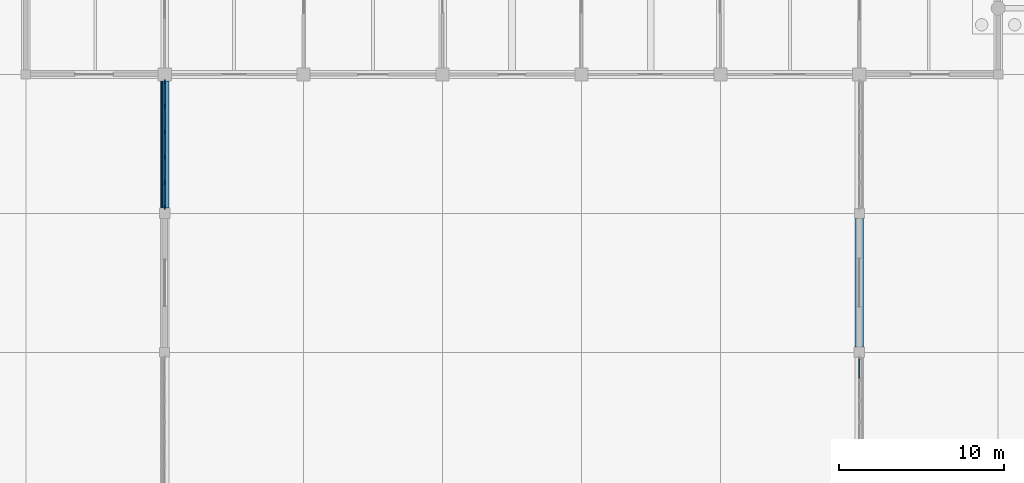
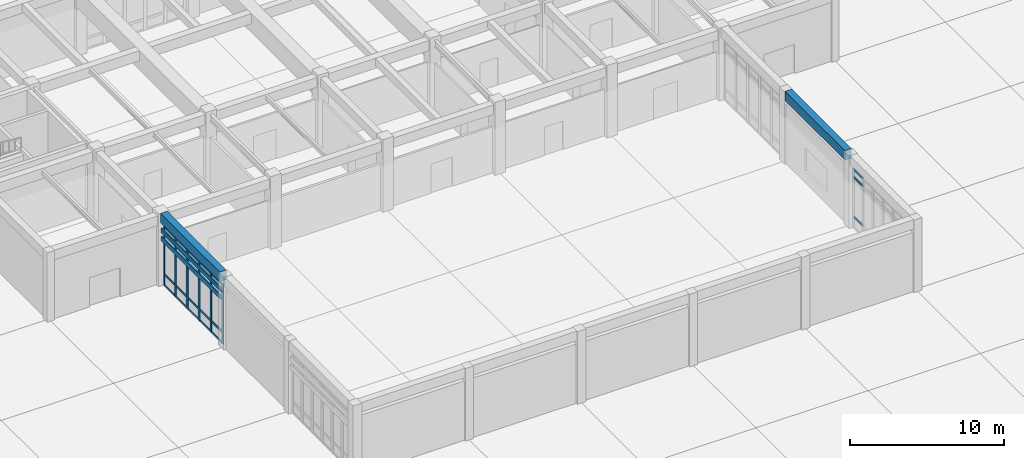
# One storey, part 11 of 91: 31 members, 2 beams, 2 elements without a shape of their own.
"""IFC4 building model written with IfcOpenShell, lengths in metres."""

from ifc_helpers import new_model, si_unit, direction, frame, origin, origin_2d, place, context, subcontext, project, spatial, rectangle, extrude, material, layer, layer_set, material_profile, profile_set, type_object, element, aggregate, save


model = new_model("IFC4")

# Units and contexts
model_context = context("Model", 3, precision=1e-05, world=origin(), true_north=direction((0.0, 1.0)))
body_context = subcontext(model_context, "Body", "Model", "MODEL_VIEW")
ifc_project = project(units=[si_unit("LENGTHUNIT", "METRE"), si_unit("AREAUNIT", "SQUARE_METRE"), si_unit("VOLUMEUNIT", "CUBIC_METRE"), si_unit("PLANEANGLEUNIT", "RADIAN"), si_unit("MASSUNIT", "GRAM", prefix="KILO")], contexts=[model_context])

# Site, building, storey
site_placement = place(None, origin())
site = spatial("IfcSite", under=ifc_project, at=site_placement, CompositionType="ELEMENT")
building_placement = place(site_placement, origin())
building = spatial("IfcBuilding", under=site, at=building_placement, Name="Porcellanite Civic Hall", CompositionType="ELEMENT")
storey_placement = place(building_placement, origin())
storey = spatial("IfcBuildingStorey", under=building, at=storey_placement, Name="L00", CompositionType="ELEMENT", Elevation=0.0)

# Beams
ifc_material_1 = material(Name="Concrete N50 (50 MPa)", Category="concrete")
ifc_material_profile_1 = material_profile(ifc_material_1, rectangle(XDim=0.5, YDim=0.75, at=origin_2d()), Name="RC-500x750")
ifc_profile_set_1 = profile_set([ifc_material_profile_1], Name="Concrete N50 (50 MPa)")
beam_type = type_object("IfcBeamType", Name="BM-RC750", PredefinedType="SPANDREL", material=ifc_profile_set_1)
beam_1_placement = place(storey_placement, frame((67.199951171875, 33.924560546875, 5.385009765625), z_axis=(0.0, 1.0, 0.0), x_axis=(-1.0, 0.0, 0.0)))
element("IfcBeam", 1, at=beam_1_placement, inside=storey, type_object=beam_type, Name="Public Hall waist spandrel W 4", PredefinedType="SPANDREL", context=body_context, shape_type="SweptSolid", body=[
    extrude(rectangle(XDim=0.5, YDim=0.75, at=origin_2d()), origin(), (0.0, 0.0, 1.0), 7.676025390625),
])
beam_2_placement = place(storey_placement, frame((109.199951171875, 25.5244140625, 5.385009765625), z_axis=(0.0, 1.0, 0.0), x_axis=(-1.0, 0.0, 0.0)))
element("IfcBeam", 2, at=beam_2_placement, inside=storey, type_object=beam_type, Name="Public Hall waist spandrel E 3", PredefinedType="SPANDREL", context=body_context, shape_type="SweptSolid", body=[
    extrude(rectangle(XDim=0.5, YDim=0.75, at=origin_2d()), origin(), (0.0, 0.0, 1.0), 7.776123046875),
])

# Curtain wall, members
ifc_material_2 = material(Name="Anodised aluminium and solar laminated glass", Category="aluminium")
ifc_layer = layer(ifc_material_2, 0.179931640625)
ifc_layer_set = layer_set([ifc_layer], Name="Anodised aluminium and solar laminated glass")
curtain_wall_type = type_object("IfcCurtainWallType", Name="CW-SYS01", PredefinedType="NOTDEFINED", material=ifc_layer_set)
curtain_wall_1_placement = place(storey_placement, origin())
curtain_wall_1 = element("IfcCurtainWall", 3, at=curtain_wall_1_placement, inside=storey, type_object=curtain_wall_type, Name="Curtain wall CW-028", PredefinedType="NOTDEFINED")
ifc_material_3 = material(Name="Anodised aluminium 6063-T6", Category="aluminium")
ifc_material_profile_2 = material_profile(ifc_material_3, rectangle(XDim=0.080078125, YDim=0.239990234375, at=origin_2d()), Name="AL-80x240")
ifc_profile_set_2 = profile_set([ifc_material_profile_2], Name="Anodised aluminium 6063-T6")
member_type_1 = type_object("IfcMemberType", Name="CWM-01", PredefinedType="MULLION", material=ifc_profile_set_2)
member_1_placement = place(storey_placement, frame((67.199951171875, 33.966064453125, 0.0), z_axis=(0.0, 0.0, 1.0), x_axis=(-1.0, 0.0, 0.0)))
member_1 = element("IfcMember", 4, at=member_1_placement, type_object=member_type_1, Name="CW-028 mullion 1", PredefinedType="MULLION", context=body_context, shape_type="SweptSolid", body=[
    extrude(rectangle(XDim=0.080078125, YDim=0.239990234375, at=origin_2d()), origin(), (0.0, 0.0, 1.0), 4.699951171875),
])
member_2_placement = place(storey_placement, frame((67.199951171875, 35.460693359375, 0.0), z_axis=(0.0, 0.0, 1.0), x_axis=(-1.0, 0.0, 0.0)))
member_2 = element("IfcMember", 5, at=member_2_placement, type_object=member_type_1, Name="CW-028 mullion 2", PredefinedType="MULLION", context=body_context, shape_type="SweptSolid", body=[
    extrude(rectangle(XDim=0.080078125, YDim=0.239990234375, at=origin_2d()), origin(), (0.0, 0.0, 1.0), 4.699951171875),
])
member_3_placement = place(storey_placement, frame((67.199951171875, 36.9951171875, 0.0), z_axis=(0.0, 0.0, 1.0), x_axis=(-1.0, 0.0, 0.0)))
member_3 = element("IfcMember", 6, at=member_3_placement, type_object=member_type_1, Name="CW-028 mullion 3", PredefinedType="MULLION", context=body_context, shape_type="SweptSolid", body=[
    extrude(rectangle(XDim=0.080078125, YDim=0.239990234375, at=origin_2d()), origin(), (0.0, 0.0, 1.0), 4.699951171875),
])
member_4_placement = place(storey_placement, frame((67.199951171875, 38.52978515625, 0.0), z_axis=(0.0, 0.0, 1.0), x_axis=(-1.0, 0.0, 0.0)))
member_4 = element("IfcMember", 7, at=member_4_placement, type_object=member_type_1, Name="CW-028 mullion 4", PredefinedType="MULLION", context=body_context, shape_type="SweptSolid", body=[
    extrude(rectangle(XDim=0.080078125, YDim=0.239990234375, at=origin_2d()), origin(), (0.0, 0.0, 1.0), 4.699951171875),
])
member_5_placement = place(storey_placement, frame((67.199951171875, 40.064453125, 0.0), z_axis=(0.0, 0.0, 1.0), x_axis=(-1.0, 0.0, 0.0)))
member_5 = element("IfcMember", 8, at=member_5_placement, type_object=member_type_1, Name="CW-028 mullion 5", PredefinedType="MULLION", context=body_context, shape_type="SweptSolid", body=[
    extrude(rectangle(XDim=0.080078125, YDim=0.239990234375, at=origin_2d()), origin(), (0.0, 0.0, 1.0), 4.699951171875),
])
member_6_placement = place(storey_placement, frame((67.199951171875, 41.55908203125, 0.0), z_axis=(0.0, 0.0, 1.0), x_axis=(-1.0, 0.0, 0.0)))
member_6 = element("IfcMember", 9, at=member_6_placement, type_object=member_type_1, Name="CW-028 mullion 6", PredefinedType="MULLION", context=body_context, shape_type="SweptSolid", body=[
    extrude(rectangle(XDim=0.080078125, YDim=0.239990234375, at=origin_2d()), origin(), (0.0, 0.0, 1.0), 4.699951171875),
])
ifc_material_4 = material(Name="Anodised aluminium 6063-T6", Category="aluminium")
ifc_material_profile_3 = material_profile(ifc_material_4, rectangle(XDim=0.070068359375, YDim=0.175048828125, at=origin_2d()), Name="AL-70x175")
ifc_profile_set_3 = profile_set([ifc_material_profile_3], Name="Anodised aluminium 6063-T6")
member_type_2 = type_object("IfcMemberType", Name="CWT-01", PredefinedType="USERDEFINED", material=ifc_profile_set_3)
member_7_placement = place(storey_placement, frame((67.199951171875, 34.006103515625, 0.034912109375), z_axis=(0.0, 1.0, 0.0), x_axis=(-1.0, 0.0, 0.0)))
member_7 = element("IfcMember", 10, at=member_7_placement, type_object=member_type_2, Name="CW-028 transom 1.1", ObjectType="TRANSOM", PredefinedType="USERDEFINED", context=body_context, shape_type="SweptSolid", body=[
    extrude(rectangle(XDim=0.070068359375, YDim=0.175048828125, at=origin_2d()), origin(), (0.0, 0.0, 1.0), 1.41455078125),
])
member_8_placement = place(storey_placement, frame((67.199951171875, 34.006103515625, 0.89990234375), z_axis=(0.0, 1.0, 0.0), x_axis=(-1.0, 0.0, 0.0)))
member_8 = element("IfcMember", 11, at=member_8_placement, type_object=member_type_2, Name="CW-028 transom 1.2", ObjectType="TRANSOM", PredefinedType="USERDEFINED", context=body_context, shape_type="SweptSolid", body=[
    extrude(rectangle(XDim=0.070068359375, YDim=0.175048828125, at=origin_2d()), origin(), (0.0, 0.0, 1.0), 1.41455078125),
])
member_9_placement = place(storey_placement, frame((67.199951171875, 34.006103515625, 4.050048828125), z_axis=(0.0, 1.0, 0.0), x_axis=(-1.0, 0.0, 0.0)))
member_9 = element("IfcMember", 12, at=member_9_placement, type_object=member_type_2, Name="CW-028 transom 1.3", ObjectType="TRANSOM", PredefinedType="USERDEFINED", context=body_context, shape_type="SweptSolid", body=[
    extrude(rectangle(XDim=0.070068359375, YDim=0.175048828125, at=origin_2d()), origin(), (0.0, 0.0, 1.0), 1.41455078125),
])
member_10_placement = place(storey_placement, frame((67.199951171875, 34.006103515625, 4.6650390625), z_axis=(0.0, 1.0, 0.0), x_axis=(-1.0, 0.0, 0.0)))
member_10 = element("IfcMember", 13, at=member_10_placement, type_object=member_type_2, Name="CW-028 transom 1.4", ObjectType="TRANSOM", PredefinedType="USERDEFINED", context=body_context, shape_type="SweptSolid", body=[
    extrude(rectangle(XDim=0.070068359375, YDim=0.175048828125, at=origin_2d()), origin(), (0.0, 0.0, 1.0), 1.41455078125),
])
member_11_placement = place(storey_placement, frame((67.199951171875, 35.50048828125, 0.034912109375), z_axis=(0.0, 1.0, 0.0), x_axis=(-1.0, 0.0, 0.0)))
member_11 = element("IfcMember", 14, at=member_11_placement, type_object=member_type_2, Name="CW-028 transom 2.1", ObjectType="TRANSOM", PredefinedType="USERDEFINED", context=body_context, shape_type="SweptSolid", body=[
    extrude(rectangle(XDim=0.070068359375, YDim=0.175048828125, at=origin_2d()), origin(), (0.0, 0.0, 1.0), 1.45458984375),
])
member_12_placement = place(storey_placement, frame((67.199951171875, 35.50048828125, 0.89990234375), z_axis=(0.0, 1.0, 0.0), x_axis=(-1.0, 0.0, 0.0)))
member_12 = element("IfcMember", 15, at=member_12_placement, type_object=member_type_2, Name="CW-028 transom 2.2", ObjectType="TRANSOM", PredefinedType="USERDEFINED", context=body_context, shape_type="SweptSolid", body=[
    extrude(rectangle(XDim=0.070068359375, YDim=0.175048828125, at=origin_2d()), origin(), (0.0, 0.0, 1.0), 1.45458984375),
])
member_13_placement = place(storey_placement, frame((67.199951171875, 35.50048828125, 4.050048828125), z_axis=(0.0, 1.0, 0.0), x_axis=(-1.0, 0.0, 0.0)))
member_13 = element("IfcMember", 16, at=member_13_placement, type_object=member_type_2, Name="CW-028 transom 2.3", ObjectType="TRANSOM", PredefinedType="USERDEFINED", context=body_context, shape_type="SweptSolid", body=[
    extrude(rectangle(XDim=0.070068359375, YDim=0.175048828125, at=origin_2d()), origin(), (0.0, 0.0, 1.0), 1.45458984375),
])
member_14_placement = place(storey_placement, frame((67.199951171875, 35.50048828125, 4.6650390625), z_axis=(0.0, 1.0, 0.0), x_axis=(-1.0, 0.0, 0.0)))
member_14 = element("IfcMember", 17, at=member_14_placement, type_object=member_type_2, Name="CW-028 transom 2.4", ObjectType="TRANSOM", PredefinedType="USERDEFINED", context=body_context, shape_type="SweptSolid", body=[
    extrude(rectangle(XDim=0.070068359375, YDim=0.175048828125, at=origin_2d()), origin(), (0.0, 0.0, 1.0), 1.45458984375),
])
member_15_placement = place(storey_placement, frame((67.199951171875, 37.03515625, 0.034912109375), z_axis=(0.0, 1.0, 0.0), x_axis=(-1.0, 0.0, 0.0)))
member_15 = element("IfcMember", 18, at=member_15_placement, type_object=member_type_2, Name="CW-028 transom 3.1", ObjectType="TRANSOM", PredefinedType="USERDEFINED", context=body_context, shape_type="SweptSolid", body=[
    extrude(rectangle(XDim=0.070068359375, YDim=0.175048828125, at=origin_2d()), origin(), (0.0, 0.0, 1.0), 1.45458984375),
])
member_16_placement = place(storey_placement, frame((67.199951171875, 37.03515625, 0.89990234375), z_axis=(0.0, 1.0, 0.0), x_axis=(-1.0, 0.0, 0.0)))
member_16 = element("IfcMember", 19, at=member_16_placement, type_object=member_type_2, Name="CW-028 transom 3.2", ObjectType="TRANSOM", PredefinedType="USERDEFINED", context=body_context, shape_type="SweptSolid", body=[
    extrude(rectangle(XDim=0.070068359375, YDim=0.175048828125, at=origin_2d()), origin(), (0.0, 0.0, 1.0), 1.45458984375),
])
member_17_placement = place(storey_placement, frame((67.199951171875, 37.03515625, 4.050048828125), z_axis=(0.0, 1.0, 0.0), x_axis=(-1.0, 0.0, 0.0)))
member_17 = element("IfcMember", 20, at=member_17_placement, type_object=member_type_2, Name="CW-028 transom 3.3", ObjectType="TRANSOM", PredefinedType="USERDEFINED", context=body_context, shape_type="SweptSolid", body=[
    extrude(rectangle(XDim=0.070068359375, YDim=0.175048828125, at=origin_2d()), origin(), (0.0, 0.0, 1.0), 1.45458984375),
])
member_18_placement = place(storey_placement, frame((67.199951171875, 37.03515625, 4.6650390625), z_axis=(0.0, 1.0, 0.0), x_axis=(-1.0, 0.0, 0.0)))
member_18 = element("IfcMember", 21, at=member_18_placement, type_object=member_type_2, Name="CW-028 transom 3.4", ObjectType="TRANSOM", PredefinedType="USERDEFINED", context=body_context, shape_type="SweptSolid", body=[
    extrude(rectangle(XDim=0.070068359375, YDim=0.175048828125, at=origin_2d()), origin(), (0.0, 0.0, 1.0), 1.45458984375),
])
member_19_placement = place(storey_placement, frame((67.199951171875, 38.56982421875, 0.034912109375), z_axis=(0.0, 1.0, 0.0), x_axis=(-1.0, 0.0, 0.0)))
member_19 = element("IfcMember", 22, at=member_19_placement, type_object=member_type_2, Name="CW-028 transom 4.1", ObjectType="TRANSOM", PredefinedType="USERDEFINED", context=body_context, shape_type="SweptSolid", body=[
    extrude(rectangle(XDim=0.070068359375, YDim=0.175048828125, at=origin_2d()), origin(), (0.0, 0.0, 1.0), 1.45458984375),
])
member_20_placement = place(storey_placement, frame((67.199951171875, 38.56982421875, 0.89990234375), z_axis=(0.0, 1.0, 0.0), x_axis=(-1.0, 0.0, 0.0)))
member_20 = element("IfcMember", 23, at=member_20_placement, type_object=member_type_2, Name="CW-028 transom 4.2", ObjectType="TRANSOM", PredefinedType="USERDEFINED", context=body_context, shape_type="SweptSolid", body=[
    extrude(rectangle(XDim=0.070068359375, YDim=0.175048828125, at=origin_2d()), origin(), (0.0, 0.0, 1.0), 1.45458984375),
])
member_21_placement = place(storey_placement, frame((67.199951171875, 38.56982421875, 4.050048828125), z_axis=(0.0, 1.0, 0.0), x_axis=(-1.0, 0.0, 0.0)))
member_21 = element("IfcMember", 24, at=member_21_placement, type_object=member_type_2, Name="CW-028 transom 4.3", ObjectType="TRANSOM", PredefinedType="USERDEFINED", context=body_context, shape_type="SweptSolid", body=[
    extrude(rectangle(XDim=0.070068359375, YDim=0.175048828125, at=origin_2d()), origin(), (0.0, 0.0, 1.0), 1.45458984375),
])
member_22_placement = place(storey_placement, frame((67.199951171875, 38.56982421875, 4.6650390625), z_axis=(0.0, 1.0, 0.0), x_axis=(-1.0, 0.0, 0.0)))
member_22 = element("IfcMember", 25, at=member_22_placement, type_object=member_type_2, Name="CW-028 transom 4.4", ObjectType="TRANSOM", PredefinedType="USERDEFINED", context=body_context, shape_type="SweptSolid", body=[
    extrude(rectangle(XDim=0.070068359375, YDim=0.175048828125, at=origin_2d()), origin(), (0.0, 0.0, 1.0), 1.45458984375),
])
member_23_placement = place(storey_placement, frame((67.199951171875, 40.1044921875, 0.034912109375), z_axis=(0.0, 1.0, 0.0), x_axis=(-1.0, 0.0, 0.0)))
member_23 = element("IfcMember", 26, at=member_23_placement, type_object=member_type_2, Name="CW-028 transom 5.1", ObjectType="TRANSOM", PredefinedType="USERDEFINED", context=body_context, shape_type="SweptSolid", body=[
    extrude(rectangle(XDim=0.070068359375, YDim=0.175048828125, at=origin_2d()), origin(), (0.0, 0.0, 1.0), 1.41455078125),
])
member_24_placement = place(storey_placement, frame((67.199951171875, 40.1044921875, 0.89990234375), z_axis=(0.0, 1.0, 0.0), x_axis=(-1.0, 0.0, 0.0)))
member_24 = element("IfcMember", 27, at=member_24_placement, type_object=member_type_2, Name="CW-028 transom 5.2", ObjectType="TRANSOM", PredefinedType="USERDEFINED", context=body_context, shape_type="SweptSolid", body=[
    extrude(rectangle(XDim=0.070068359375, YDim=0.175048828125, at=origin_2d()), origin(), (0.0, 0.0, 1.0), 1.41455078125),
])
member_25_placement = place(storey_placement, frame((67.199951171875, 40.1044921875, 4.050048828125), z_axis=(0.0, 1.0, 0.0), x_axis=(-1.0, 0.0, 0.0)))
member_25 = element("IfcMember", 28, at=member_25_placement, type_object=member_type_2, Name="CW-028 transom 5.3", ObjectType="TRANSOM", PredefinedType="USERDEFINED", context=body_context, shape_type="SweptSolid", body=[
    extrude(rectangle(XDim=0.070068359375, YDim=0.175048828125, at=origin_2d()), origin(), (0.0, 0.0, 1.0), 1.41455078125),
])
member_26_placement = place(storey_placement, frame((67.199951171875, 40.1044921875, 4.6650390625), z_axis=(0.0, 1.0, 0.0), x_axis=(-1.0, 0.0, 0.0)))
member_26 = element("IfcMember", 29, at=member_26_placement, type_object=member_type_2, Name="CW-028 transom 5.4", ObjectType="TRANSOM", PredefinedType="USERDEFINED", context=body_context, shape_type="SweptSolid", body=[
    extrude(rectangle(XDim=0.070068359375, YDim=0.175048828125, at=origin_2d()), origin(), (0.0, 0.0, 1.0), 1.41455078125),
])
aggregate(curtain_wall_1, [member_1, member_2, member_3, member_4, member_5, member_6, member_7, member_8, member_9, member_10, member_11, member_12, member_13, member_14, member_15, member_16, member_17, member_18, member_19, member_20, member_21, member_22, member_23, member_24, member_25, member_26])

curtain_wall_2_placement = place(storey_placement, origin())
curtain_wall_2 = element("IfcCurtainWall", 30, at=curtain_wall_2_placement, inside=storey, type_object=curtain_wall_type, Name="Curtain wall CW-032", PredefinedType="NOTDEFINED")
member_27_placement = place(storey_placement, frame((109.199951171875, 24.7939453125, 0.89990234375), z_axis=(0.0, -1.0, 0.0), x_axis=(1.0, 0.0, 0.0)))
member_27 = element("IfcMember", 31, at=member_27_placement, type_object=member_type_2, Name="CW-032 transom 1.2", ObjectType="TRANSOM", PredefinedType="USERDEFINED", context=body_context, shape_type="SweptSolid", body=[
    extrude(rectangle(XDim=0.070068359375, YDim=0.175048828125, at=origin_2d()), origin(), (0.0, 0.0, 1.0), 1.175537109375),
])
member_28_placement = place(storey_placement, frame((109.199951171875, 24.7939453125, 4.050048828125), z_axis=(0.0, -1.0, 0.0), x_axis=(1.0, 0.0, 0.0)))
member_28 = element("IfcMember", 32, at=member_28_placement, type_object=member_type_2, Name="CW-032 transom 1.3", ObjectType="TRANSOM", PredefinedType="USERDEFINED", context=body_context, shape_type="SweptSolid", body=[
    extrude(rectangle(XDim=0.070068359375, YDim=0.175048828125, at=origin_2d()), origin(), (0.0, 0.0, 1.0), 1.175537109375),
])
member_29_placement = place(storey_placement, frame((109.199951171875, 24.7939453125, 4.6650390625), z_axis=(0.0, -1.0, 0.0), x_axis=(1.0, 0.0, 0.0)))
member_29 = element("IfcMember", 33, at=member_29_placement, type_object=member_type_2, Name="CW-032 transom 1.4", ObjectType="TRANSOM", PredefinedType="USERDEFINED", context=body_context, shape_type="SweptSolid", body=[
    extrude(rectangle(XDim=0.070068359375, YDim=0.175048828125, at=origin_2d()), origin(), (0.0, 0.0, 1.0), 1.175537109375),
])
aggregate(curtain_wall_2, [member_27, member_28, member_29])

# Members
ifc_material_5 = material(Name="Fluoropolymer bauxite-red aluminium 6063-T6", Category="aluminium")
ifc_material_profile_4 = material_profile(ifc_material_5, rectangle(XDim=0.090087890625, YDim=0.360107421875, at=origin_2d()), Name="AL-90x360")
ifc_profile_set_4 = profile_set([ifc_material_profile_4], Name="Fluoropolymer bauxite-red aluminium 6063-T6")
member_type_3 = type_object("IfcMemberType", Name="LV-BLD01", PredefinedType="USERDEFINED", material=ifc_profile_set_4)
for number, where, z_axis, x_axis, name in (
    (34, (67.032958984375, 33.924560546875, 4.39990234375), (0.0, 1.0, 0.0), (-1.0, 0.0, 0.0), "Cyclone sunshade louvre L00 W 8-4 1"),
    (35, (67.032958984375, 33.924560546875, 3.75), (0.0, 1.0, 0.0), (-1.0, 0.0, 0.0), "Cyclone sunshade louvre L00 W 8-4 2"),
):
    element("IfcMember", number, at=place(storey_placement, frame(where, z_axis=z_axis, x_axis=x_axis)), inside=storey, type_object=member_type_3, Name=name, ObjectType="LOUVRE BLADE", PredefinedType="USERDEFINED", context=body_context, shape_type="SweptSolid", body=[
        extrude(rectangle(XDim=0.090087890625, YDim=0.360107421875, at=origin_2d()), origin(), (0.0, 0.0, 1.0), 7.676025390625),
    ])

save(model, "model.ifc")
